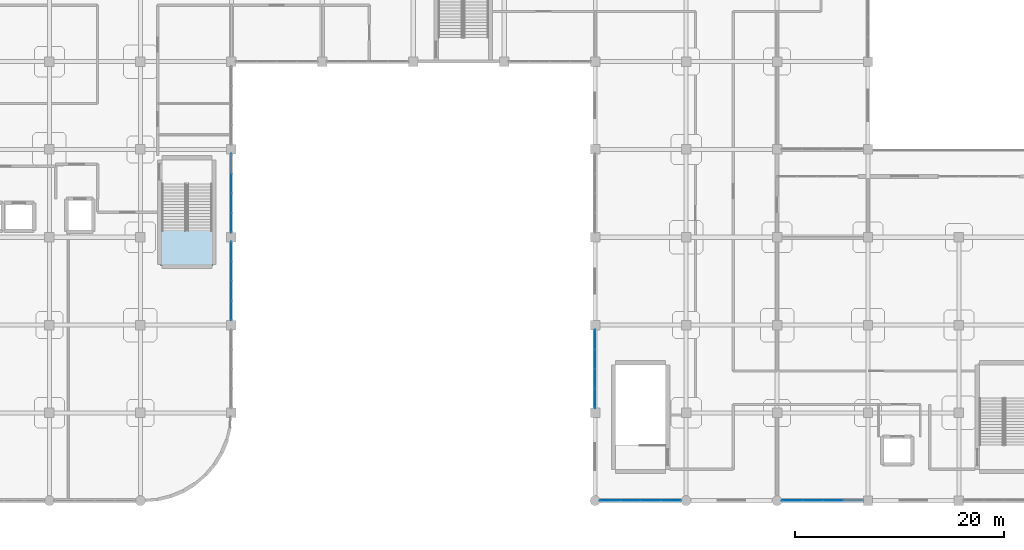
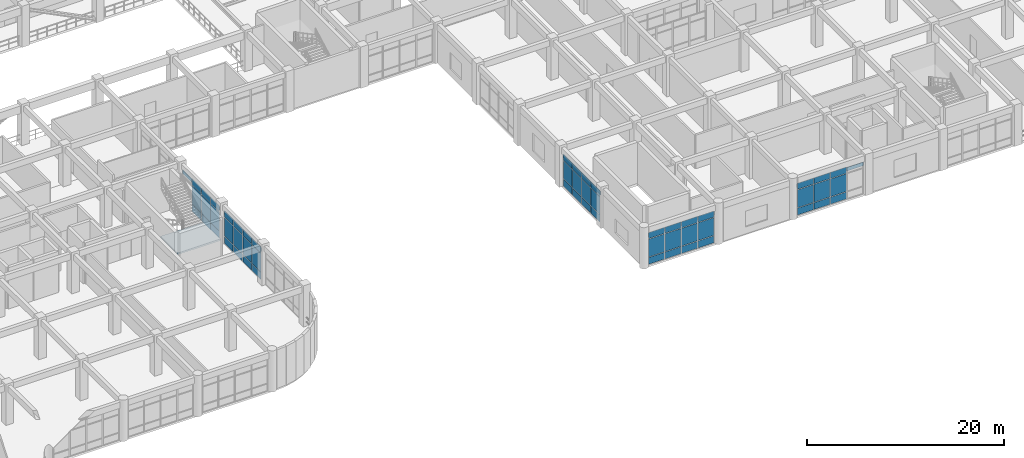
# One storey, part 89 of 120: 59 plates, 1 slab, 6 elements without a shape of their own.
"""IFC4 building model written with IfcOpenShell, lengths in metres."""

import ifcopenshell
import ifcopenshell.guid

model = None  # the IFC model being written
_history = None  # IfcOwnerHistory: only IFC2X3 demands one
_inside = {}  # id of a spatial element -> (the spatial element, [elements in it])
_under = {}  # id of a project, library or spatial element -> (it, [spatial elements below it])
_declared = {}  # id of a project -> (the project, [libraries it declares])
_typed = {}  # id of a type object -> (the type object, [elements of that type])
_made_of = {}  # id of a material, layer set ... -> (it, [elements and type objects made of it])


def new_model(schema):
    """Start an empty IFC model of exactly this schema.

    Asked for "IFC4X3", IfcOpenShell would pick the latest addendum, in which some entities
    have other attributes; the version numbers below select the first issue.
    IFC2X3 requires an IfcOwnerHistory on every rooted entity: one is made here for all.
    """
    global model, _history
    if schema == "IFC4X3":
        model = ifcopenshell.file(schema_version=(4, 3, 0, 0))
    else:
        model = ifcopenshell.file(schema=schema)
    _inside.clear()
    _under.clear()
    _declared.clear()
    _typed.clear()
    _made_of.clear()
    _history = None
    if model.schema == "IFC2X3":
        org = make("IfcOrganization", Name="unknown")
        user = make(
            "IfcPersonAndOrganization",
            ThePerson=make("IfcPerson", FamilyName="unknown"),
            TheOrganization=org,
        )
        app = make(
            "IfcApplication",
            ApplicationDeveloper=org,
            Version="unknown",
            ApplicationFullName="unknown",
            ApplicationIdentifier="unknown",
        )
        _history = make(
            "IfcOwnerHistory",
            OwningUser=user,
            OwningApplication=app,
            ChangeAction="ADDED",
            CreationDate=0,
        )
    return model


def make(cls, **values):
    """One entity of the class cls with the attributes given. An attribute that is None is left unset."""
    return model.create_entity(
        cls, **{name: value for name, value in values.items() if value is not None}
    )


def rooted(cls, **values):
    """An entity with a GlobalId (a new one), such as an element, a storey or a relation."""
    return make(cls, GlobalId=ifcopenshell.guid.new(), OwnerHistory=_history, **values)


def si_unit(unit_type, name, prefix=None):
    """IfcSIUnit, for example si_unit("LENGTHUNIT", "METRE", prefix="MILLI")."""
    return make("IfcSIUnit", UnitType=unit_type, Prefix=prefix, Name=name)


def derived_unit(unit_type, elements):
    """IfcDerivedUnit: a product of units, each with its exponent."""
    return make(
        "IfcDerivedUnit",
        Elements=[
            make("IfcDerivedUnitElement", Unit=unit, Exponent=power)
            for unit, power in elements
        ],
        UnitType=unit_type,
    )


def assignment(units):
    """IfcUnitAssignment: the units of a project."""
    return None if units is None else make("IfcUnitAssignment", Units=units)


def point(xyz):
    """IfcCartesianPoint."""
    return None if xyz is None else make("IfcCartesianPoint", Coordinates=xyz)


def direction(xyz):
    """IfcDirection."""
    return None if xyz is None else make("IfcDirection", DirectionRatios=xyz)


def frame(location, z_axis=None, x_axis=None):
    """IfcAxis2Placement3D, a coordinate frame: its origin and axes. An axis left out is left unset."""
    return make(
        "IfcAxis2Placement3D",
        Location=point(location),
        Axis=direction(z_axis),
        RefDirection=direction(x_axis),
    )


def frame_2d(location, x_axis=None):
    """IfcAxis2Placement2D, a coordinate frame in the plane: its origin and x axis."""
    return make(
        "IfcAxis2Placement2D", Location=point(location), RefDirection=direction(x_axis)
    )


def origin():
    """The frame at (0, 0, 0) with its axes left unset."""
    return frame((0.0, 0.0, 0.0))


def origin_2d():
    """The frame at (0, 0) in the plane with its x axis left unset."""
    return frame_2d((0.0, 0.0))


def place(relative_to, where):
    """IfcLocalPlacement: puts the frame where relative to a parent placement (None: the world)."""
    return make(
        "IfcLocalPlacement", PlacementRelTo=relative_to, RelativePlacement=where
    )


def context(
    kind, dimensions, precision=None, world=None, true_north=None, identifier=None
):
    """IfcGeometricRepresentationContext, for example the 3D "Model" context."""
    return make(
        "IfcGeometricRepresentationContext",
        ContextIdentifier=identifier,
        ContextType=kind,
        CoordinateSpaceDimension=dimensions,
        Precision=precision,
        WorldCoordinateSystem=world,
        TrueNorth=true_north,
    )


def subcontext(parent, identifier, kind, view, scale=None):
    """IfcGeometricRepresentationSubContext, for example "Body" below "Model"."""
    return make(
        "IfcGeometricRepresentationSubContext",
        ContextIdentifier=identifier,
        ContextType=kind,
        ParentContext=parent,
        TargetScale=scale,
        TargetView=view,
    )


def project(units=None, contexts=None):
    """IfcProject with its units and contexts."""
    return rooted(
        "IfcProject",
        Name="project",
        RepresentationContexts=contexts,
        UnitsInContext=assignment(units),
    )


def spatial(cls, under=None, at=None, **own):
    """A site, building, storey or space (cls), placed at a placement, below another one or the project."""
    s = rooted(cls, ObjectPlacement=at, **own)
    if under is not None:
        _under.setdefault(under.id(), (under, []))[1].append(s)
    return s


def polyline(points):
    """IfcPolyline through the points."""
    return make("IfcPolyline", Points=[point(p) for p in points])


def profile(cls, at=None, kind="AREA", **sizes):
    """A parametric profile (cls). Its sizes go by their IFC names, for example OverallWidth=200.0."""
    return make(cls, ProfileType=kind, Position=at, **sizes)


def rectangle(**sizes):
    """IfcRectangleProfileDef."""
    return profile("IfcRectangleProfileDef", **sizes)


def outline(outer, holes=None, kind="AREA"):
    """IfcArbitraryClosedProfileDef: a profile drawn as a closed curve; with holes, ...WithVoids."""
    if holes is None:
        return make("IfcArbitraryClosedProfileDef", ProfileType=kind, OuterCurve=outer)
    return make(
        "IfcArbitraryProfileDefWithVoids",
        ProfileType=kind,
        OuterCurve=outer,
        InnerCurves=holes,
    )


def extrude(swept, where, along, depth):
    """IfcExtrudedAreaSolid: the profile swept, set in the frame where, extruded along a direction by depth."""
    return make(
        "IfcExtrudedAreaSolid",
        SweptArea=swept,
        Position=where,
        ExtrudedDirection=direction(along),
        Depth=depth,
    )


def shape(context_of_items, identifier, shape_type, items):
    """IfcShapeRepresentation: the items that make up one representation, for example the "Body"."""
    return make(
        "IfcShapeRepresentation",
        ContextOfItems=context_of_items,
        RepresentationIdentifier=identifier,
        RepresentationType=shape_type,
        Items=items,
    )


def material(Name=None, Category=None):
    """IfcMaterial."""
    return make("IfcMaterial", Name=Name, Category=Category)


def layer(
    of_material, thickness, ventilated=None, Name=None, Category=None, Priority=None
):
    """IfcMaterialLayer: one layer of a wall or slab, of a material (None: an air gap)."""
    return make(
        "IfcMaterialLayer",
        Material=of_material,
        LayerThickness=thickness,
        IsVentilated=ventilated,
        Name=Name,
        Category=Category,
        Priority=Priority,
    )


def layer_set(layers, Name=None):
    """IfcMaterialLayerSet."""
    return make("IfcMaterialLayerSet", MaterialLayers=layers, LayerSetName=Name)


def made_of(thing, what):
    """Note that an element or type object is made of a material, layer set ...; save() writes the relation."""
    if what is not None:
        _made_of.setdefault(what.id(), (what, []))[1].append(thing)
    return thing


def type_object(cls, material=None, **own):
    """A type object (cls), such as IfcWallType, which elements share."""
    return made_of(rooted(cls, **own), material)


def element(
    cls,
    number,
    at=None,
    inside=None,
    cuts=None,
    type_object=None,
    material=None,
    context=None,
    identifier="Body",
    shape_type=None,
    held_by="IfcProductDefinitionShape",
    body=None,
    shapes=None,
    **own,
):
    """One element of the class cls, such as IfcWall. Its Tag is "e" and its number.

    at: its placement. inside: the storey or other place that contains it. cuts: it is an
    opening in that element (IfcRelVoidsElement). A single representation is given by context,
    identifier, shape_type and body (its items); several are given by shapes. held_by: the class
    of the entity that holds the representations. save() writes the other relations.
    """
    e = rooted(cls, Tag="e%d" % number, ObjectPlacement=at, **own)
    if body is not None:
        shapes = [shape(context, identifier, shape_type, body)]
    if shapes is not None:
        e.Representation = make(held_by, Representations=shapes)
    if inside is not None:
        _inside.setdefault(inside.id(), (inside, []))[1].append(e)
    if cuts is not None:
        rooted(
            "IfcRelVoidsElement", RelatingBuildingElement=cuts, RelatedOpeningElement=e
        )
    if type_object is not None:
        _typed.setdefault(type_object.id(), (type_object, []))[1].append(e)
    return made_of(e, material)


def aggregate(whole, parts):
    """IfcRelAggregates: a whole, such as a stair, and the parts it consists of."""
    return rooted("IfcRelAggregates", RelatingObject=whole, RelatedObjects=parts)


def save(model, path):
    """Write the relations noted so far, then the file.

    IfcRelAggregates (storeys below a building ...), IfcRelContainedInSpatialStructure (elements
    in a storey), IfcRelDefinesByType, IfcRelAssociatesMaterial and IfcRelDeclares: one each for
    every whole, place, type object, material and project.
    """
    for whole, parts in _under.values():
        aggregate(whole, parts)
    for where, things in _inside.values():
        rooted(
            "IfcRelContainedInSpatialStructure",
            RelatedElements=things,
            RelatingStructure=where,
        )
    for kind, things in _typed.values():
        rooted("IfcRelDefinesByType", RelatedObjects=things, RelatingType=kind)
    for what, things in _made_of.values():
        rooted("IfcRelAssociatesMaterial", RelatedObjects=things, RelatingMaterial=what)
    for by, libraries in _declared.values():
        rooted("IfcRelDeclares", RelatingContext=by, RelatedDefinitions=libraries)
    model.write(path)


model = new_model("IFC4")

# Units and contexts
model_context = context("Model", 3, precision=1e-05, world=origin(), true_north=direction((0.0, 1.0)))
body_context = subcontext(model_context, "Body", "Model", "MODEL_VIEW")
ifc_project = project(units=[si_unit("LENGTHUNIT", "METRE"), si_unit("AREAUNIT", "SQUARE_METRE"), si_unit("VOLUMEUNIT", "CUBIC_METRE"), si_unit("PLANEANGLEUNIT", "RADIAN"), si_unit("MASSUNIT", "GRAM", prefix="KILO"), derived_unit("THERMALTRANSMITTANCEUNIT", [(si_unit("MASSUNIT", "GRAM", prefix="KILO"), 1), (si_unit("TIMEUNIT", "SECOND"), -3), (si_unit("THERMODYNAMICTEMPERATUREUNIT", "KELVIN"), -1)])], contexts=[model_context])

# Site, building, storey
site_placement = place(None, origin())
site = spatial("IfcSite", under=ifc_project, at=site_placement, CompositionType="ELEMENT")
building_placement = place(site_placement, origin())
building = spatial("IfcBuilding", under=site, at=building_placement, Name="Qinzheling Arcade Emporium", CompositionType="ELEMENT")
storey_placement = place(building_placement, frame((0.0, 0.0, 11.39990234375)))
storey = spatial("IfcBuildingStorey", under=building, at=storey_placement, Name="L03", CompositionType="ELEMENT", Elevation=11.39990234375)

# Curtain wall, plates
ifc_material_1 = material(Name="Anodised aluminium and solar-control double glazing", Category="aluminium")
ifc_layer_1 = layer(ifc_material_1, 0.159912109375, Name="Anodised aluminium and solar-control double glazing", Category="aluminium")
ifc_layer_set_1 = layer_set([ifc_layer_1], Name="Anodised aluminium and solar-control double glazing")
curtain_wall_type_1 = type_object("IfcCurtainWallType", Name="Arcade Portal Glazed Curtain Wall", PredefinedType="NOTDEFINED", material=ifc_layer_set_1)
curtain_wall_1_placement = place(storey_placement, origin())
curtain_wall_1 = element("IfcCurtainWall", 1, at=curtain_wall_1_placement, inside=storey, type_object=curtain_wall_type_1, Name="Curtain Wall CW-L03-146", PredefinedType="NOTDEFINED")
ifc_material_2 = material(Name="Laminated solar-control double glazing", Category="glass")
ifc_layer_2 = layer(ifc_material_2, 0.02587890625, Name="Laminated solar-control double glazing", Category="glass")
ifc_layer_set_2 = layer_set([ifc_layer_2], Name="Laminated solar-control double glazing")
plate_type_1 = type_object("IfcPlateType", Name="Low-E Double Glazed Curtain Panel 26mm", PredefinedType="CURTAIN_PANEL", material=ifc_layer_set_2)
plate_1_placement = place(storey_placement, frame((69.60009765625, 30.3369140625, 0.06005859375), z_axis=(0.0, 0.0, 1.0), x_axis=(0.0, -1.0, 0.0)))
plate_1 = element("IfcPlate", 2, at=plate_1_placement, type_object=plate_type_1, Name="CW05 panel 2.1", PredefinedType="CURTAIN_PANEL", context=body_context, shape_type="SweptSolid", body=[
    extrude(rectangle(XDim=1.81396484375, YDim=0.02587890625, at=origin_2d()), origin(), (0.0, 0.0, 1.0), 0.860107421875),
])
plate_2_placement = place(storey_placement, frame((69.60009765625, 30.3369140625, 0.980224609375), z_axis=(0.0, 0.0, 1.0), x_axis=(0.0, -1.0, 0.0)))
plate_2 = element("IfcPlate", 3, at=plate_2_placement, type_object=plate_type_1, Name="CW05 panel 2.2", PredefinedType="CURTAIN_PANEL", context=body_context, shape_type="SweptSolid", body=[
    extrude(rectangle(XDim=1.81396484375, YDim=0.02587890625, at=origin_2d()), origin(), (0.0, 0.0, 1.0), 2.294921875),
])
plate_3_placement = place(storey_placement, frame((69.60009765625, 30.3369140625, 3.3349609375), z_axis=(0.0, 0.0, 1.0), x_axis=(0.0, -1.0, 0.0)))
plate_3 = element("IfcPlate", 4, at=plate_3_placement, type_object=plate_type_1, Name="CW05 panel 2.3", PredefinedType="CURTAIN_PANEL", context=body_context, shape_type="SweptSolid", body=[
    extrude(rectangle(XDim=1.81396484375, YDim=0.02587890625, at=origin_2d()), origin(), (0.0, 0.0, 1.0), 0.760009765625),
])
plate_4_placement = place(storey_placement, frame((69.60009765625, 28.462890625, 0.06005859375), z_axis=(0.0, 0.0, 1.0), x_axis=(0.0, -1.0, 0.0)))
plate_4 = element("IfcPlate", 5, at=plate_4_placement, type_object=plate_type_1, Name="CW05 panel 3.1", PredefinedType="CURTAIN_PANEL", context=body_context, shape_type="SweptSolid", body=[
    extrude(rectangle(XDim=1.81396484375, YDim=0.02587890625, at=origin_2d()), origin(), (0.0, 0.0, 1.0), 0.860107421875),
])
plate_5_placement = place(storey_placement, frame((69.60009765625, 28.462890625, 0.980224609375), z_axis=(0.0, 0.0, 1.0), x_axis=(0.0, -1.0, 0.0)))
plate_5 = element("IfcPlate", 6, at=plate_5_placement, type_object=plate_type_1, Name="CW05 panel 3.2", PredefinedType="CURTAIN_PANEL", context=body_context, shape_type="SweptSolid", body=[
    extrude(rectangle(XDim=1.81396484375, YDim=0.02587890625, at=origin_2d()), origin(), (0.0, 0.0, 1.0), 2.294921875),
])
plate_6_placement = place(storey_placement, frame((69.60009765625, 28.462890625, 3.3349609375), z_axis=(0.0, 0.0, 1.0), x_axis=(0.0, -1.0, 0.0)))
plate_6 = element("IfcPlate", 7, at=plate_6_placement, type_object=plate_type_1, Name="CW05 panel 3.3", PredefinedType="CURTAIN_PANEL", context=body_context, shape_type="SweptSolid", body=[
    extrude(rectangle(XDim=1.81396484375, YDim=0.02587890625, at=origin_2d()), origin(), (0.0, 0.0, 1.0), 0.760009765625),
])
plate_7_placement = place(storey_placement, frame((69.60009765625, 26.60400390625, 0.06005859375), z_axis=(0.0, 0.0, 1.0), x_axis=(0.0, -1.0, 0.0)))
plate_7 = element("IfcPlate", 8, at=plate_7_placement, type_object=plate_type_1, Name="CW05 panel 4.1", PredefinedType="CURTAIN_PANEL", context=body_context, shape_type="SweptSolid", body=[
    extrude(rectangle(XDim=1.783935546875, YDim=0.02587890625, at=origin_2d()), origin(), (0.0, 0.0, 1.0), 0.860107421875),
])
plate_8_placement = place(storey_placement, frame((69.60009765625, 26.60400390625, 0.980224609375), z_axis=(0.0, 0.0, 1.0), x_axis=(0.0, -1.0, 0.0)))
plate_8 = element("IfcPlate", 9, at=plate_8_placement, type_object=plate_type_1, Name="CW05 panel 4.2", PredefinedType="CURTAIN_PANEL", context=body_context, shape_type="SweptSolid", body=[
    extrude(rectangle(XDim=1.783935546875, YDim=0.02587890625, at=origin_2d()), origin(), (0.0, 0.0, 1.0), 2.294921875),
])
plate_9_placement = place(storey_placement, frame((69.60009765625, 26.60400390625, 3.3349609375), z_axis=(0.0, 0.0, 1.0), x_axis=(0.0, -1.0, 0.0)))
plate_9 = element("IfcPlate", 10, at=plate_9_placement, type_object=plate_type_1, Name="CW05 panel 4.3", PredefinedType="CURTAIN_PANEL", context=body_context, shape_type="SweptSolid", body=[
    extrude(rectangle(XDim=1.783935546875, YDim=0.02587890625, at=origin_2d()), origin(), (0.0, 0.0, 1.0), 0.760009765625),
])
aggregate(curtain_wall_1, [plate_1, plate_2, plate_3, plate_4, plate_5, plate_6, plate_7, plate_8, plate_9])

curtain_wall_2_placement = place(storey_placement, origin())
curtain_wall_2 = element("IfcCurtainWall", 11, at=curtain_wall_2_placement, inside=storey, type_object=curtain_wall_type_1, Name="Curtain Wall CW-L03-147", PredefinedType="NOTDEFINED")
ifc_layer_3 = layer(ifc_material_2, 0.027099609375, Name="Laminated solar-control double glazing", Category="glass")
ifc_layer_set_3 = layer_set([ifc_layer_3], Name="Laminated solar-control double glazing")
plate_type_2 = type_object("IfcPlateType", Name="Low-E Double Glazed Curtain Panel 27mm", PredefinedType="CURTAIN_PANEL", material=ifc_layer_set_3)
plate_10_placement = place(storey_placement, frame((69.60009765625, 23.7958984375, 0.06005859375), z_axis=(0.0, 0.0, 1.0), x_axis=(0.0, -1.0, 0.0)))
plate_10 = element("IfcPlate", 12, at=plate_10_placement, type_object=plate_type_2, Name="CW05 panel 1.1", PredefinedType="CURTAIN_PANEL", context=body_context, shape_type="SweptSolid", body=[
    extrude(rectangle(XDim=1.783935546875, YDim=0.027099609375, at=origin_2d()), origin(), (0.0, 0.0, 1.0), 0.860107421875),
])
plate_11_placement = place(storey_placement, frame((69.60009765625, 23.7958984375, 0.980224609375), z_axis=(0.0, 0.0, 1.0), x_axis=(0.0, -1.0, 0.0)))
plate_11 = element("IfcPlate", 13, at=plate_11_placement, type_object=plate_type_2, Name="CW05 panel 1.2", PredefinedType="CURTAIN_PANEL", context=body_context, shape_type="SweptSolid", body=[
    extrude(rectangle(XDim=1.783935546875, YDim=0.027099609375, at=origin_2d()), origin(), (0.0, 0.0, 1.0), 2.294921875),
])
plate_12_placement = place(storey_placement, frame((69.60009765625, 23.7958984375, 3.3349609375), z_axis=(0.0, 0.0, 1.0), x_axis=(0.0, -1.0, 0.0)))
plate_12 = element("IfcPlate", 14, at=plate_12_placement, type_object=plate_type_2, Name="CW05 panel 1.3", PredefinedType="CURTAIN_PANEL", context=body_context, shape_type="SweptSolid", body=[
    extrude(rectangle(XDim=1.783935546875, YDim=0.027099609375, at=origin_2d()), origin(), (0.0, 0.0, 1.0), 0.760009765625),
])
plate_13_placement = place(storey_placement, frame((69.60009765625, 21.93701171875, 0.06005859375), z_axis=(0.0, 0.0, 1.0), x_axis=(0.0, -1.0, 0.0)))
plate_13 = element("IfcPlate", 15, at=plate_13_placement, type_object=plate_type_2, Name="CW05 panel 2.1", PredefinedType="CURTAIN_PANEL", context=body_context, shape_type="SweptSolid", body=[
    extrude(rectangle(XDim=1.81396484375, YDim=0.027099609375, at=origin_2d()), origin(), (0.0, 0.0, 1.0), 0.860107421875),
])
plate_14_placement = place(storey_placement, frame((69.60009765625, 21.93701171875, 0.980224609375), z_axis=(0.0, 0.0, 1.0), x_axis=(0.0, -1.0, 0.0)))
plate_14 = element("IfcPlate", 16, at=plate_14_placement, type_object=plate_type_2, Name="CW05 panel 2.2", PredefinedType="CURTAIN_PANEL", context=body_context, shape_type="SweptSolid", body=[
    extrude(rectangle(XDim=1.81396484375, YDim=0.027099609375, at=origin_2d()), origin(), (0.0, 0.0, 1.0), 2.294921875),
])
plate_15_placement = place(storey_placement, frame((69.60009765625, 21.93701171875, 3.3349609375), z_axis=(0.0, 0.0, 1.0), x_axis=(0.0, -1.0, 0.0)))
plate_15 = element("IfcPlate", 17, at=plate_15_placement, type_object=plate_type_2, Name="CW05 panel 2.3", PredefinedType="CURTAIN_PANEL", context=body_context, shape_type="SweptSolid", body=[
    extrude(rectangle(XDim=1.81396484375, YDim=0.027099609375, at=origin_2d()), origin(), (0.0, 0.0, 1.0), 0.760009765625),
])
plate_16_placement = place(storey_placement, frame((69.60009765625, 20.06298828125, 0.06005859375), z_axis=(0.0, 0.0, 1.0), x_axis=(0.0, -1.0, 0.0)))
plate_16 = element("IfcPlate", 18, at=plate_16_placement, type_object=plate_type_2, Name="CW05 panel 3.1", PredefinedType="CURTAIN_PANEL", context=body_context, shape_type="SweptSolid", body=[
    extrude(rectangle(XDim=1.81396484375, YDim=0.027099609375, at=origin_2d()), origin(), (0.0, 0.0, 1.0), 0.860107421875),
])
plate_17_placement = place(storey_placement, frame((69.60009765625, 20.06298828125, 0.980224609375), z_axis=(0.0, 0.0, 1.0), x_axis=(0.0, -1.0, 0.0)))
plate_17 = element("IfcPlate", 19, at=plate_17_placement, type_object=plate_type_2, Name="CW05 panel 3.2", PredefinedType="CURTAIN_PANEL", context=body_context, shape_type="SweptSolid", body=[
    extrude(rectangle(XDim=1.81396484375, YDim=0.027099609375, at=origin_2d()), origin(), (0.0, 0.0, 1.0), 2.294921875),
])
plate_18_placement = place(storey_placement, frame((69.60009765625, 20.06298828125, 3.3349609375), z_axis=(0.0, 0.0, 1.0), x_axis=(0.0, -1.0, 0.0)))
plate_18 = element("IfcPlate", 20, at=plate_18_placement, type_object=plate_type_2, Name="CW05 panel 3.3", PredefinedType="CURTAIN_PANEL", context=body_context, shape_type="SweptSolid", body=[
    extrude(rectangle(XDim=1.81396484375, YDim=0.027099609375, at=origin_2d()), origin(), (0.0, 0.0, 1.0), 0.760009765625),
])
plate_19_placement = place(storey_placement, frame((69.60009765625, 18.2041015625, 0.06005859375), z_axis=(0.0, 0.0, 1.0), x_axis=(0.0, -1.0, 0.0)))
plate_19 = element("IfcPlate", 21, at=plate_19_placement, type_object=plate_type_2, Name="CW05 panel 4.1", PredefinedType="CURTAIN_PANEL", context=body_context, shape_type="SweptSolid", body=[
    extrude(rectangle(XDim=1.783935546875, YDim=0.027099609375, at=origin_2d()), origin(), (0.0, 0.0, 1.0), 0.860107421875),
])
plate_20_placement = place(storey_placement, frame((69.60009765625, 18.2041015625, 0.980224609375), z_axis=(0.0, 0.0, 1.0), x_axis=(0.0, -1.0, 0.0)))
plate_20 = element("IfcPlate", 22, at=plate_20_placement, type_object=plate_type_2, Name="CW05 panel 4.2", PredefinedType="CURTAIN_PANEL", context=body_context, shape_type="SweptSolid", body=[
    extrude(rectangle(XDim=1.783935546875, YDim=0.027099609375, at=origin_2d()), origin(), (0.0, 0.0, 1.0), 2.294921875),
])
plate_21_placement = place(storey_placement, frame((69.60009765625, 18.2041015625, 3.3349609375), z_axis=(0.0, 0.0, 1.0), x_axis=(0.0, -1.0, 0.0)))
plate_21 = element("IfcPlate", 23, at=plate_21_placement, type_object=plate_type_2, Name="CW05 panel 4.3", PredefinedType="CURTAIN_PANEL", context=body_context, shape_type="SweptSolid", body=[
    extrude(rectangle(XDim=1.783935546875, YDim=0.027099609375, at=origin_2d()), origin(), (0.0, 0.0, 1.0), 0.760009765625),
])
aggregate(curtain_wall_2, [plate_10, plate_11, plate_12, plate_13, plate_14, plate_15, plate_16, plate_17, plate_18, plate_19, plate_20, plate_21])

ifc_layer_4 = layer(ifc_material_1, 0.159912109375, Name="Anodised aluminium and solar-control double glazing", Category="aluminium")
ifc_layer_set_4 = layer_set([ifc_layer_4], Name="Anodised aluminium and solar-control double glazing")
curtain_wall_type_2 = type_object("IfcCurtainWallType", Name="Food Hall Loggia Curtain Wall", PredefinedType="NOTDEFINED", material=ifc_layer_set_4)
curtain_wall_3_placement = place(storey_placement, origin())
curtain_wall_3 = element("IfcCurtainWall", 24, at=curtain_wall_3_placement, inside=storey, type_object=curtain_wall_type_2, Name="Curtain Wall CW-L03-138", PredefinedType="NOTDEFINED")
ifc_layer_5 = layer(ifc_material_2, 0.035888671875, Name="Laminated solar-control double glazing", Category="glass")
ifc_layer_set_5 = layer_set([ifc_layer_5], Name="Laminated solar-control double glazing")
plate_type_3 = type_object("IfcPlateType", Name="Low-E Double Glazed Curtain Panel 36mm", PredefinedType="CURTAIN_PANEL", material=ifc_layer_set_5)
plate_22_placement = place(storey_placement, frame((127.1337890625, 0.0, 0.06005859375), z_axis=(0.0, 0.0, 1.0), x_axis=(-1.0, 0.0, 0.0)))
plate_22 = element("IfcPlate", 25, at=plate_22_placement, type_object=plate_type_3, Name="CW04 panel 2.1", PredefinedType="CURTAIN_PANEL", context=body_context, shape_type="SweptSolid", body=[
    extrude(rectangle(XDim=1.8828125, YDim=0.035888671875, at=origin_2d()), origin(), (0.0, 0.0, 1.0), 0.860107421875),
])
plate_23_placement = place(storey_placement, frame((127.1337890625, 0.0, 0.97998046875), z_axis=(0.0, 0.0, 1.0), x_axis=(-1.0, 0.0, 0.0)))
plate_23 = element("IfcPlate", 26, at=plate_23_placement, type_object=plate_type_3, Name="CW04 panel 2.2", PredefinedType="CURTAIN_PANEL", context=body_context, shape_type="SweptSolid", body=[
    extrude(rectangle(XDim=1.8828125, YDim=0.035888671875, at=origin_2d()), origin(), (0.0, 0.0, 1.0), 2.195068359375),
])
plate_24_placement = place(storey_placement, frame((127.1337890625, 0.0, 3.23486328125), z_axis=(0.0, 0.0, 1.0), x_axis=(-1.0, 0.0, 0.0)))
plate_24 = element("IfcPlate", 27, at=plate_24_placement, type_object=plate_type_3, Name="CW04 panel 2.3", PredefinedType="CURTAIN_PANEL", context=body_context, shape_type="SweptSolid", body=[
    extrude(rectangle(XDim=1.8828125, YDim=0.035888671875, at=origin_2d()), origin(), (0.0, 0.0, 1.0), 0.760009765625),
])
plate_25_placement = place(storey_placement, frame((125.191162109375, 0.0, 0.06005859375), z_axis=(0.0, 0.0, 1.0), x_axis=(-1.0, 0.0, 0.0)))
plate_25 = element("IfcPlate", 28, at=plate_25_placement, type_object=plate_type_3, Name="CW04 panel 3.1", PredefinedType="CURTAIN_PANEL", context=body_context, shape_type="SweptSolid", body=[
    extrude(rectangle(XDim=1.8828125, YDim=0.035888671875, at=origin_2d()), origin(), (0.0, 0.0, 1.0), 0.860107421875),
])
plate_26_placement = place(storey_placement, frame((125.191162109375, 0.0, 0.97998046875), z_axis=(0.0, 0.0, 1.0), x_axis=(-1.0, 0.0, 0.0)))
plate_26 = element("IfcPlate", 29, at=plate_26_placement, type_object=plate_type_3, Name="CW04 panel 3.2", PredefinedType="CURTAIN_PANEL", context=body_context, shape_type="SweptSolid", body=[
    extrude(rectangle(XDim=1.8828125, YDim=0.035888671875, at=origin_2d()), origin(), (0.0, 0.0, 1.0), 2.195068359375),
])
plate_27_placement = place(storey_placement, frame((125.191162109375, 0.0, 3.23486328125), z_axis=(0.0, 0.0, 1.0), x_axis=(-1.0, 0.0, 0.0)))
plate_27 = element("IfcPlate", 30, at=plate_27_placement, type_object=plate_type_3, Name="CW04 panel 3.3", PredefinedType="CURTAIN_PANEL", context=body_context, shape_type="SweptSolid", body=[
    extrude(rectangle(XDim=1.8828125, YDim=0.035888671875, at=origin_2d()), origin(), (0.0, 0.0, 1.0), 0.760009765625),
])
plate_28_placement = place(storey_placement, frame((123.263427734375, 0.0, 0.06005859375), z_axis=(0.0, 0.0, 1.0), x_axis=(-1.0, 0.0, 0.0)))
plate_28 = element("IfcPlate", 31, at=plate_28_placement, type_object=plate_type_3, Name="CW04 panel 4.1", PredefinedType="CURTAIN_PANEL", context=body_context, shape_type="SweptSolid", body=[
    extrude(rectangle(XDim=1.852783203125, YDim=0.035888671875, at=origin_2d()), origin(), (0.0, 0.0, 1.0), 0.860107421875),
])
plate_29_placement = place(storey_placement, frame((123.263427734375, 0.0, 0.97998046875), z_axis=(0.0, 0.0, 1.0), x_axis=(-1.0, 0.0, 0.0)))
plate_29 = element("IfcPlate", 32, at=plate_29_placement, type_object=plate_type_3, Name="CW04 panel 4.2", PredefinedType="CURTAIN_PANEL", context=body_context, shape_type="SweptSolid", body=[
    extrude(rectangle(XDim=1.852783203125, YDim=0.035888671875, at=origin_2d()), origin(), (0.0, 0.0, 1.0), 2.195068359375),
])
plate_30_placement = place(storey_placement, frame((123.263427734375, 0.0, 3.23486328125), z_axis=(0.0, 0.0, 1.0), x_axis=(-1.0, 0.0, 0.0)))
plate_30 = element("IfcPlate", 33, at=plate_30_placement, type_object=plate_type_3, Name="CW04 panel 4.3", PredefinedType="CURTAIN_PANEL", context=body_context, shape_type="SweptSolid", body=[
    extrude(rectangle(XDim=1.852783203125, YDim=0.035888671875, at=origin_2d()), origin(), (0.0, 0.0, 1.0), 0.760009765625),
])
aggregate(curtain_wall_3, [plate_22, plate_23, plate_24, plate_25, plate_26, plate_27, plate_28, plate_29, plate_30])

curtain_wall_4_placement = place(storey_placement, origin())
curtain_wall_4 = element("IfcCurtainWall", 34, at=curtain_wall_4_placement, inside=storey, type_object=curtain_wall_type_1, Name="Curtain Wall CW-L03-139", PredefinedType="NOTDEFINED")
ifc_layer_6 = layer(ifc_material_2, 0.0380859375, Name="Laminated solar-control double glazing", Category="glass")
ifc_layer_set_6 = layer_set([ifc_layer_6], Name="Laminated solar-control double glazing")
plate_type_4 = type_object("IfcPlateType", Name="Low-E Double Glazed Curtain Panel 38mm", PredefinedType="CURTAIN_PANEL", material=ifc_layer_set_6)
plate_31_placement = place(storey_placement, frame((111.6396484375, 0.0, 0.06005859375), z_axis=(0.0, 0.0, 1.0), x_axis=(-1.0, 0.0, 0.0)))
plate_31 = element("IfcPlate", 35, at=plate_31_placement, type_object=plate_type_4, Name="CW05 panel 1.1", PredefinedType="CURTAIN_PANEL", context=body_context, shape_type="SweptSolid", body=[
    extrude(rectangle(XDim=1.846435546875, YDim=0.0380859375, at=origin_2d()), origin(), (0.0, 0.0, 1.0), 0.860107421875),
])
plate_32_placement = place(storey_placement, frame((111.6396484375, 0.0, 0.97998046875), z_axis=(0.0, 0.0, 1.0), x_axis=(-1.0, 0.0, 0.0)))
plate_32 = element("IfcPlate", 36, at=plate_32_placement, type_object=plate_type_4, Name="CW05 panel 1.2", PredefinedType="CURTAIN_PANEL", context=body_context, shape_type="SweptSolid", body=[
    extrude(rectangle(XDim=1.846435546875, YDim=0.0380859375, at=origin_2d()), origin(), (0.0, 0.0, 1.0), 2.195068359375),
])
plate_33_placement = place(storey_placement, frame((111.6396484375, 0.0, 3.23486328125), z_axis=(0.0, 0.0, 1.0), x_axis=(-1.0, 0.0, 0.0)))
plate_33 = element("IfcPlate", 37, at=plate_33_placement, type_object=plate_type_4, Name="CW05 panel 1.3", PredefinedType="CURTAIN_PANEL", context=body_context, shape_type="SweptSolid", body=[
    extrude(rectangle(XDim=1.846435546875, YDim=0.0380859375, at=origin_2d()), origin(), (0.0, 0.0, 1.0), 0.760009765625),
])
plate_34_placement = place(storey_placement, frame((109.71826171875, 0.0, 0.06005859375), z_axis=(0.0, 0.0, 1.0), x_axis=(-1.0, 0.0, 0.0)))
plate_34 = element("IfcPlate", 38, at=plate_34_placement, type_object=plate_type_4, Name="CW05 panel 2.1", PredefinedType="CURTAIN_PANEL", context=body_context, shape_type="SweptSolid", body=[
    extrude(rectangle(XDim=1.87646484375, YDim=0.0380859375, at=origin_2d()), origin(), (0.0, 0.0, 1.0), 0.860107421875),
])
plate_35_placement = place(storey_placement, frame((109.71826171875, 0.0, 0.97998046875), z_axis=(0.0, 0.0, 1.0), x_axis=(-1.0, 0.0, 0.0)))
plate_35 = element("IfcPlate", 39, at=plate_35_placement, type_object=plate_type_4, Name="CW05 panel 2.2", PredefinedType="CURTAIN_PANEL", context=body_context, shape_type="SweptSolid", body=[
    extrude(rectangle(XDim=1.87646484375, YDim=0.0380859375, at=origin_2d()), origin(), (0.0, 0.0, 1.0), 2.195068359375),
])
plate_36_placement = place(storey_placement, frame((109.71826171875, 0.0, 3.23486328125), z_axis=(0.0, 0.0, 1.0), x_axis=(-1.0, 0.0, 0.0)))
plate_36 = element("IfcPlate", 40, at=plate_36_placement, type_object=plate_type_4, Name="CW05 panel 2.3", PredefinedType="CURTAIN_PANEL", context=body_context, shape_type="SweptSolid", body=[
    extrude(rectangle(XDim=1.87646484375, YDim=0.0380859375, at=origin_2d()), origin(), (0.0, 0.0, 1.0), 0.760009765625),
])
plate_37_placement = place(storey_placement, frame((107.78173828125, 0.0, 0.06005859375), z_axis=(0.0, 0.0, 1.0), x_axis=(-1.0, 0.0, 0.0)))
plate_37 = element("IfcPlate", 41, at=plate_37_placement, type_object=plate_type_4, Name="CW05 panel 3.1", PredefinedType="CURTAIN_PANEL", context=body_context, shape_type="SweptSolid", body=[
    extrude(rectangle(XDim=1.87646484375, YDim=0.0380859375, at=origin_2d()), origin(), (0.0, 0.0, 1.0), 0.860107421875),
])
plate_38_placement = place(storey_placement, frame((107.78173828125, 0.0, 0.97998046875), z_axis=(0.0, 0.0, 1.0), x_axis=(-1.0, 0.0, 0.0)))
plate_38 = element("IfcPlate", 42, at=plate_38_placement, type_object=plate_type_4, Name="CW05 panel 3.2", PredefinedType="CURTAIN_PANEL", context=body_context, shape_type="SweptSolid", body=[
    extrude(rectangle(XDim=1.87646484375, YDim=0.0380859375, at=origin_2d()), origin(), (0.0, 0.0, 1.0), 2.195068359375),
])
plate_39_placement = place(storey_placement, frame((107.78173828125, 0.0, 3.23486328125), z_axis=(0.0, 0.0, 1.0), x_axis=(-1.0, 0.0, 0.0)))
plate_39 = element("IfcPlate", 43, at=plate_39_placement, type_object=plate_type_4, Name="CW05 panel 3.3", PredefinedType="CURTAIN_PANEL", context=body_context, shape_type="SweptSolid", body=[
    extrude(rectangle(XDim=1.87646484375, YDim=0.0380859375, at=origin_2d()), origin(), (0.0, 0.0, 1.0), 0.760009765625),
])
plate_40_placement = place(storey_placement, frame((105.8603515625, 0.0, 0.06005859375), z_axis=(0.0, 0.0, 1.0), x_axis=(-1.0, 0.0, 0.0)))
plate_40 = element("IfcPlate", 44, at=plate_40_placement, type_object=plate_type_4, Name="CW05 panel 4.1", PredefinedType="CURTAIN_PANEL", context=body_context, shape_type="SweptSolid", body=[
    extrude(rectangle(XDim=1.846435546875, YDim=0.0380859375, at=origin_2d()), origin(), (0.0, 0.0, 1.0), 0.860107421875),
])
plate_41_placement = place(storey_placement, frame((105.8603515625, 0.0, 0.97998046875), z_axis=(0.0, 0.0, 1.0), x_axis=(-1.0, 0.0, 0.0)))
plate_41 = element("IfcPlate", 45, at=plate_41_placement, type_object=plate_type_4, Name="CW05 panel 4.2", PredefinedType="CURTAIN_PANEL", context=body_context, shape_type="SweptSolid", body=[
    extrude(rectangle(XDim=1.846435546875, YDim=0.0380859375, at=origin_2d()), origin(), (0.0, 0.0, 1.0), 2.195068359375),
])
plate_42_placement = place(storey_placement, frame((105.8603515625, 0.0, 3.23486328125), z_axis=(0.0, 0.0, 1.0), x_axis=(-1.0, 0.0, 0.0)))
plate_42 = element("IfcPlate", 46, at=plate_42_placement, type_object=plate_type_4, Name="CW05 panel 4.3", PredefinedType="CURTAIN_PANEL", context=body_context, shape_type="SweptSolid", body=[
    extrude(rectangle(XDim=1.846435546875, YDim=0.0380859375, at=origin_2d()), origin(), (0.0, 0.0, 1.0), 0.760009765625),
])
aggregate(curtain_wall_4, [plate_31, plate_32, plate_33, plate_34, plate_35, plate_36, plate_37, plate_38, plate_39, plate_40, plate_41, plate_42])

curtain_wall_5_placement = place(storey_placement, origin())
curtain_wall_5 = element("IfcCurtainWall", 47, at=curtain_wall_5_placement, inside=storey, type_object=curtain_wall_type_1, Name="Curtain Wall CW-L03-140", PredefinedType="NOTDEFINED")
ifc_layer_7 = layer(ifc_material_2, 0.0400390625, Name="Laminated solar-control double glazing", Category="glass")
ifc_layer_set_7 = layer_set([ifc_layer_7], Name="Laminated solar-control double glazing")
plate_type_5 = type_object("IfcPlateType", Name="Low-E Double Glazed Curtain Panel 40mm", PredefinedType="CURTAIN_PANEL", material=ifc_layer_set_7)
plate_43_placement = place(storey_placement, frame((104.39990234375, 9.803955078125, 0.06005859375), z_axis=(0.0, 0.0, 1.0), x_axis=(0.0, 1.0, 0.0)))
plate_43 = element("IfcPlate", 48, at=plate_43_placement, type_object=plate_type_5, Name="CW05 panel 1.1", PredefinedType="CURTAIN_PANEL", context=body_context, shape_type="SweptSolid", body=[
    extrude(rectangle(XDim=1.783935546875, YDim=0.0400390625, at=origin_2d()), origin(), (0.0, 0.0, 1.0), 0.860107421875),
])
plate_44_placement = place(storey_placement, frame((104.39990234375, 9.803955078125, 0.97998046875), z_axis=(0.0, 0.0, 1.0), x_axis=(0.0, 1.0, 0.0)))
plate_44 = element("IfcPlate", 49, at=plate_44_placement, type_object=plate_type_5, Name="CW05 panel 1.2", PredefinedType="CURTAIN_PANEL", context=body_context, shape_type="SweptSolid", body=[
    extrude(rectangle(XDim=1.783935546875, YDim=0.0400390625, at=origin_2d()), origin(), (0.0, 0.0, 1.0), 2.195068359375),
])
plate_45_placement = place(storey_placement, frame((104.39990234375, 9.803955078125, 3.23486328125), z_axis=(0.0, 0.0, 1.0), x_axis=(0.0, 1.0, 0.0)))
plate_45 = element("IfcPlate", 50, at=plate_45_placement, type_object=plate_type_5, Name="CW05 panel 1.3", PredefinedType="CURTAIN_PANEL", context=body_context, shape_type="SweptSolid", body=[
    extrude(rectangle(XDim=1.783935546875, YDim=0.0400390625, at=origin_2d()), origin(), (0.0, 0.0, 1.0), 0.760009765625),
])
plate_46_placement = place(storey_placement, frame((104.39990234375, 11.6630859375, 0.06005859375), z_axis=(0.0, 0.0, 1.0), x_axis=(0.0, 1.0, 0.0)))
plate_46 = element("IfcPlate", 51, at=plate_46_placement, type_object=plate_type_5, Name="CW05 panel 2.1", PredefinedType="CURTAIN_PANEL", context=body_context, shape_type="SweptSolid", body=[
    extrude(rectangle(XDim=1.81396484375, YDim=0.0400390625, at=origin_2d()), origin(), (0.0, 0.0, 1.0), 0.860107421875),
])
plate_47_placement = place(storey_placement, frame((104.39990234375, 11.6630859375, 0.97998046875), z_axis=(0.0, 0.0, 1.0), x_axis=(0.0, 1.0, 0.0)))
plate_47 = element("IfcPlate", 52, at=plate_47_placement, type_object=plate_type_5, Name="CW05 panel 2.2", PredefinedType="CURTAIN_PANEL", context=body_context, shape_type="SweptSolid", body=[
    extrude(rectangle(XDim=1.81396484375, YDim=0.0400390625, at=origin_2d()), origin(), (0.0, 0.0, 1.0), 2.195068359375),
])
plate_48_placement = place(storey_placement, frame((104.39990234375, 11.6630859375, 3.23486328125), z_axis=(0.0, 0.0, 1.0), x_axis=(0.0, 1.0, 0.0)))
plate_48 = element("IfcPlate", 53, at=plate_48_placement, type_object=plate_type_5, Name="CW05 panel 2.3", PredefinedType="CURTAIN_PANEL", context=body_context, shape_type="SweptSolid", body=[
    extrude(rectangle(XDim=1.81396484375, YDim=0.0400390625, at=origin_2d()), origin(), (0.0, 0.0, 1.0), 0.760009765625),
])
plate_49_placement = place(storey_placement, frame((104.39990234375, 13.537109375, 0.06005859375), z_axis=(0.0, 0.0, 1.0), x_axis=(0.0, 1.0, 0.0)))
plate_49 = element("IfcPlate", 54, at=plate_49_placement, type_object=plate_type_5, Name="CW05 panel 3.1", PredefinedType="CURTAIN_PANEL", context=body_context, shape_type="SweptSolid", body=[
    extrude(rectangle(XDim=1.81396484375, YDim=0.0400390625, at=origin_2d()), origin(), (0.0, 0.0, 1.0), 0.860107421875),
])
plate_50_placement = place(storey_placement, frame((104.39990234375, 13.537109375, 0.97998046875), z_axis=(0.0, 0.0, 1.0), x_axis=(0.0, 1.0, 0.0)))
plate_50 = element("IfcPlate", 55, at=plate_50_placement, type_object=plate_type_5, Name="CW05 panel 3.2", PredefinedType="CURTAIN_PANEL", context=body_context, shape_type="SweptSolid", body=[
    extrude(rectangle(XDim=1.81396484375, YDim=0.0400390625, at=origin_2d()), origin(), (0.0, 0.0, 1.0), 2.195068359375),
])
plate_51_placement = place(storey_placement, frame((104.39990234375, 13.537109375, 3.23486328125), z_axis=(0.0, 0.0, 1.0), x_axis=(0.0, 1.0, 0.0)))
plate_51 = element("IfcPlate", 56, at=plate_51_placement, type_object=plate_type_5, Name="CW05 panel 3.3", PredefinedType="CURTAIN_PANEL", context=body_context, shape_type="SweptSolid", body=[
    extrude(rectangle(XDim=1.81396484375, YDim=0.0400390625, at=origin_2d()), origin(), (0.0, 0.0, 1.0), 0.760009765625),
])
plate_52_placement = place(storey_placement, frame((104.39990234375, 15.39599609375, 0.06005859375), z_axis=(0.0, 0.0, 1.0), x_axis=(0.0, 1.0, 0.0)))
plate_52 = element("IfcPlate", 57, at=plate_52_placement, type_object=plate_type_5, Name="CW05 panel 4.1", PredefinedType="CURTAIN_PANEL", context=body_context, shape_type="SweptSolid", body=[
    extrude(rectangle(XDim=1.783935546875, YDim=0.0400390625, at=origin_2d()), origin(), (0.0, 0.0, 1.0), 0.860107421875),
])
plate_53_placement = place(storey_placement, frame((104.39990234375, 15.39599609375, 0.97998046875), z_axis=(0.0, 0.0, 1.0), x_axis=(0.0, 1.0, 0.0)))
plate_53 = element("IfcPlate", 58, at=plate_53_placement, type_object=plate_type_5, Name="CW05 panel 4.2", PredefinedType="CURTAIN_PANEL", context=body_context, shape_type="SweptSolid", body=[
    extrude(rectangle(XDim=1.783935546875, YDim=0.0400390625, at=origin_2d()), origin(), (0.0, 0.0, 1.0), 2.195068359375),
])
plate_54_placement = place(storey_placement, frame((104.39990234375, 15.39599609375, 3.23486328125), z_axis=(0.0, 0.0, 1.0), x_axis=(0.0, 1.0, 0.0)))
plate_54 = element("IfcPlate", 59, at=plate_54_placement, type_object=plate_type_5, Name="CW05 panel 4.3", PredefinedType="CURTAIN_PANEL", context=body_context, shape_type="SweptSolid", body=[
    extrude(rectangle(XDim=1.783935546875, YDim=0.0400390625, at=origin_2d()), origin(), (0.0, 0.0, 1.0), 0.760009765625),
])
aggregate(curtain_wall_5, [plate_43, plate_44, plate_45, plate_46, plate_47, plate_48, plate_49, plate_50, plate_51, plate_52, plate_53, plate_54])

# Stair, slab
ifc_material_3 = material(Name="Concrete C40", Category="concrete")
stair_type = type_object("IfcStairType", Name="Cast-in-Situ Dog-Leg Escape Stair H5100", PredefinedType="HALF_TURN_STAIR", material=ifc_material_3)
stair_placement = place(storey_placement, origin())
stair = element("IfcStair", 60, at=stair_placement, inside=storey, type_object=stair_type, Name="L03 ST01", PredefinedType="HALF_TURN_STAIR")
ifc_layer_8 = layer(ifc_material_3, 0.199951171875, Name="Concrete C40", Category="concrete")
ifc_layer_set_8 = layer_set([ifc_layer_8], Name="Concrete C40")
slab_type = type_object("IfcSlabType", Name="Stair Half-Turn Landing Slab 200 C40", PredefinedType="LANDING", material=ifc_layer_set_8)
slab_placement = place(storey_placement, frame((0.0, 0.0, 2.35009765625)))
slab = element("IfcSlab", 61, at=slab_placement, type_object=slab_type, Name="ST01 landing 1", PredefinedType="LANDING", context=body_context, shape_type="SweptSolid", body=[
    extrude(outline(polyline([(62.830078125, 25.919921875), (67.860107421875, 25.919921875), (67.860107421875, 22.47998046875), (62.830078125, 22.47998046875), (62.830078125, 25.919921875)])), origin(), (0.0, 0.0, 1.0), 0.199951171875),
])
aggregate(stair, [slab])

# Plates
ifc_material_4 = material(Name="Perforated anodised aluminium sheet", Category="aluminium")
ifc_layer_9 = layer(ifc_material_4, 0.011962890625, Name="Perforated anodised aluminium sheet", Category="aluminium")
ifc_layer_set_9 = layer_set([ifc_layer_9], Name="Perforated anodised aluminium sheet")
plate_type_6 = type_object("IfcPlateType", Name="Typhoon Storm Louvre Blade 12mm", PredefinedType="SHEET", material=ifc_layer_set_9)
plate_55_placement = place(storey_placement, frame((108.75, 0.0, 3.47998046875), z_axis=(0.0, 0.0, 1.0), x_axis=(-1.0, 0.0, 0.0)))
element("IfcPlate", 62, at=plate_55_placement, inside=storey, type_object=plate_type_6, Name="Storm Louvre PLT-SLV-L03-024", PredefinedType="SHEET", context=body_context, shape_type="SweptSolid", body=[
    extrude(rectangle(XDim=7.77587890625, YDim=0.011962890625, at=origin_2d()), origin(), (0.0, 0.0, 1.0), 0.449951171875),
])
plate_56_placement = place(storey_placement, frame((69.60009765625, 21.0, 3.580078125), z_axis=(0.0, 0.0, 1.0), x_axis=(0.0, -1.0, 0.0)))
element("IfcPlate", 63, at=plate_56_placement, inside=storey, type_object=plate_type_6, Name="Storm Louvre PLT-SLV-L03-032", PredefinedType="SHEET", context=body_context, shape_type="SweptSolid", body=[
    extrude(rectangle(XDim=7.52587890625, YDim=0.011962890625, at=origin_2d()), origin(), (0.0, 0.0, 1.0), 0.449951171875),
])
ifc_layer_10 = layer(ifc_material_4, 0.014892578125, Name="Perforated anodised aluminium sheet", Category="aluminium")
ifc_layer_set_10 = layer_set([ifc_layer_10], Name="Perforated anodised aluminium sheet")
plate_type_7 = type_object("IfcPlateType", Name="Typhoon Storm Louvre Blade 15mm", PredefinedType="SHEET", material=ifc_layer_set_10)
plate_57_placement = place(storey_placement, frame((104.39990234375, 12.60009765625, 3.47998046875), z_axis=(0.0, 0.0, 1.0), x_axis=(0.0, 1.0, 0.0)))
element("IfcPlate", 64, at=plate_57_placement, inside=storey, type_object=plate_type_7, Name="Storm Louvre PLT-SLV-L03-025", PredefinedType="SHEET", context=body_context, shape_type="SweptSolid", body=[
    extrude(rectangle(XDim=7.52587890625, YDim=0.014892578125, at=origin_2d()), origin(), (0.0, 0.0, 1.0), 0.449951171875),
])
ifc_layer_11 = layer(ifc_material_4, 0.02001953125, Name="Perforated anodised aluminium sheet", Category="aluminium")
ifc_layer_set_11 = layer_set([ifc_layer_11], Name="Perforated anodised aluminium sheet")
plate_type_8 = type_object("IfcPlateType", Name="Typhoon Storm Louvre Blade 20mm", PredefinedType="SHEET", material=ifc_layer_set_11)
plate_58_placement = place(storey_placement, frame((126.162109375, 0.0, 3.47998046875), z_axis=(0.0, 0.0, 1.0), x_axis=(-1.0, 0.0, 0.0)))
element("IfcPlate", 65, at=plate_58_placement, inside=storey, type_object=plate_type_8, Name="Storm Louvre PLT-SLV-L03-023", PredefinedType="SHEET", context=body_context, shape_type="SweptSolid", body=[
    extrude(rectangle(XDim=7.801025390625, YDim=0.02001953125, at=origin_2d()), origin(), (0.0, 0.0, 1.0), 0.449951171875),
])
plate_59_placement = place(storey_placement, frame((69.60009765625, 29.39990234375, 3.580078125), z_axis=(0.0, 0.0, 1.0), x_axis=(0.0, -1.0, 0.0)))
element("IfcPlate", 66, at=plate_59_placement, inside=storey, type_object=plate_type_8, Name="Storm Louvre PLT-SLV-L03-031", PredefinedType="SHEET", context=body_context, shape_type="SweptSolid", body=[
    extrude(rectangle(XDim=7.52587890625, YDim=0.02001953125, at=origin_2d()), origin(), (0.0, 0.0, 1.0), 0.449951171875),
])

save(model, "model.ifc")
